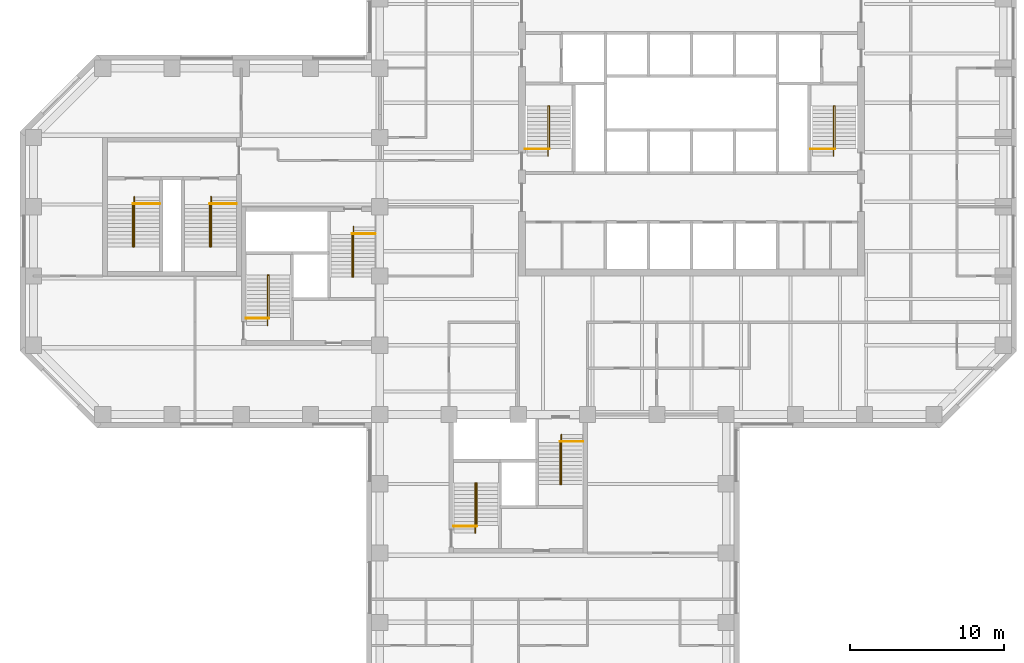
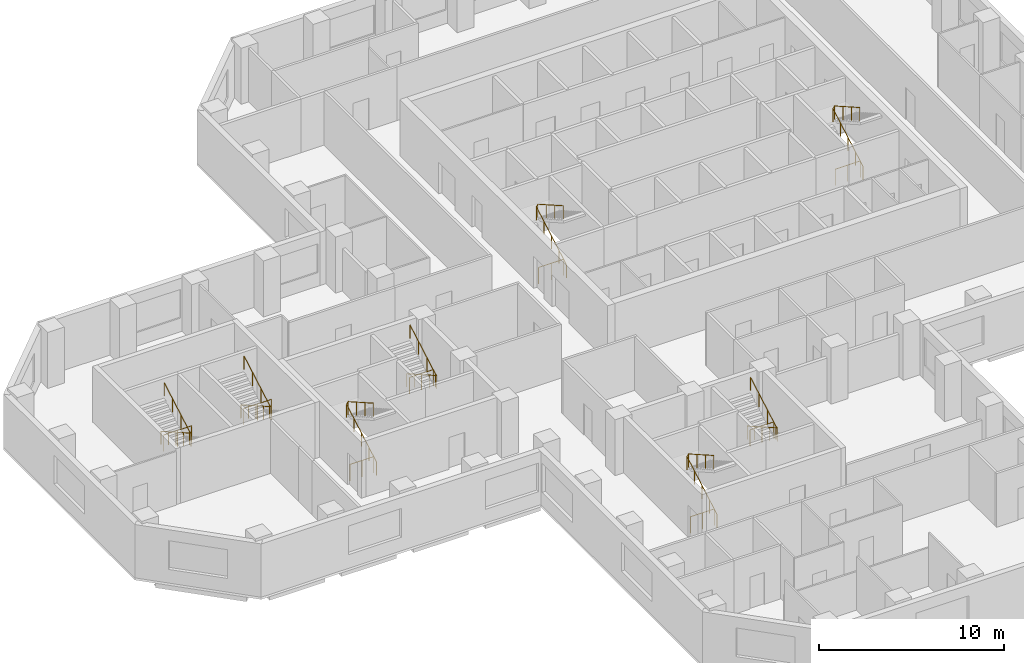
# One storey, part 10 of 10: 16 railings.
"""IFC4 building model written with IfcOpenShell, lengths in metres."""

from ifc_helpers import new_model, si_unit, direction, frame, origin, origin_2d, place, context, subcontext, project, spatial, circle, extrude, material, type_object, element, save


model = new_model("IFC4")

# Units and contexts
model_context = context("Model", 3, precision=1e-05, world=origin(), true_north=direction((0.0, 1.0)))
body_context = subcontext(model_context, "Body", "Model", "MODEL_VIEW")
ifc_project = project(units=[si_unit("LENGTHUNIT", "METRE"), si_unit("AREAUNIT", "SQUARE_METRE"), si_unit("VOLUMEUNIT", "CUBIC_METRE"), si_unit("PLANEANGLEUNIT", "RADIAN"), si_unit("MASSUNIT", "GRAM", prefix="KILO")], contexts=[model_context])

# Site, building, storey
site_placement = place(None, origin())
site = spatial("IfcSite", under=ifc_project, at=site_placement, CompositionType="ELEMENT")
building_placement = place(site_placement, origin())
building = spatial("IfcBuilding", under=site, at=building_placement, Name="Quoin Convention Tower", CompositionType="ELEMENT")
storey_placement = place(building_placement, frame((0.0, 0.0, 90.0)))
storey = spatial("IfcBuildingStorey", under=building, at=storey_placement, Name="L23", CompositionType="ELEMENT", Elevation=90.0)

# Railings
ifc_material = material(Name="Stainless steel", Category="steel")
railing_type_1 = type_object("IfcRailingType", Name="Stair handrail 900", PredefinedType="HANDRAIL", material=ifc_material)
railing_1_placement = place(storey_placement, frame((46.929931640625, 57.300048828125, 0.142333984375)))
element("IfcRailing", 1, at=railing_1_placement, inside=storey, type_object=railing_type_1, Name="SD1 handrail 1", PredefinedType="HANDRAIL", context=body_context, shape_type="SweptSolid", body=[
    extrude(circle(Radius=0.02392578125, at=origin_2d()), frame((0.0, 0.0, 0.8759765625), z_axis=(0.0, 0.869081571614, 0.494668800189), x_axis=(-1.0, 0.0, 0.0)), (0.0, 0.0, 1.0), 3.739501953125),
    extrude(circle(Radius=0.02392578125, at=origin_2d()), frame((0.0, 3.25, 2.7255859375), z_axis=(0.53481069233, 0.0, 0.844971906852), x_axis=(0.0, 1.0, 0.0)), (0.0, 0.0, 1.0), 0.16845703125),
    extrude(circle(Radius=0.02392578125, at=origin_2d()), frame((0.090087890625, 3.25, 2.8681640625), z_axis=(0.0, -0.869058607571, 0.494709143443), x_axis=(1.0, 0.0, 0.0)), (0.0, 0.0, 1.0), 3.164306640625),
    extrude(circle(Radius=0.02099609375, at=origin_2d()), origin(), (0.0, 0.0, 1.0), 0.851806640625),
    extrude(circle(Radius=0.02099609375, at=origin_2d()), frame((0.0, 0.8125, 0.46240234375)), (0.0, 0.0, 1.0), 0.851806640625),
    extrude(circle(Radius=0.02099609375, at=origin_2d()), frame((0.0, 1.625, 0.9248046875)), (0.0, 0.0, 1.0), 0.851806640625),
    extrude(circle(Radius=0.02099609375, at=origin_2d()), frame((0.0, 2.4375, 1.387451171875)), (0.0, 0.0, 1.0), 0.851806640625),
    extrude(circle(Radius=0.02099609375, at=origin_2d()), frame((0.0, 3.25, 1.849853515625)), (0.0, 0.0, 1.0), 0.851806640625),
    extrude(circle(Radius=0.02099609375, at=origin_2d()), frame((0.090087890625, 3.25, 1.9921875)), (0.0, 0.0, 1.0), 0.851806640625),
    extrude(circle(Radius=0.02099609375, at=origin_2d()), frame((0.090087890625, 2.333251953125, 2.513916015625)), (0.0, 0.0, 1.0), 0.851806640625),
    extrude(circle(Radius=0.02099609375, at=origin_2d()), frame((0.090087890625, 1.416748046875, 3.035888671875)), (0.0, 0.0, 1.0), 0.851806640625),
    extrude(circle(Radius=0.02099609375, at=origin_2d()), frame((0.090087890625, 0.5, 3.5576171875)), (0.0, 0.0, 1.0), 0.851806640625),
])
railing_2_placement = place(storey_placement, frame((65.47998046875, 57.300048828125, 0.142333984375)))
element("IfcRailing", 2, at=railing_2_placement, inside=storey, type_object=railing_type_1, Name="SD2 handrail 1", PredefinedType="HANDRAIL", context=body_context, shape_type="SweptSolid", body=[
    extrude(circle(Radius=0.02392578125, at=origin_2d()), frame((0.0, 0.0, 0.8759765625), z_axis=(0.0, 0.869081571614, 0.494668800189), x_axis=(-1.0, 0.0, 0.0)), (0.0, 0.0, 1.0), 3.739501953125),
    extrude(circle(Radius=0.02392578125, at=origin_2d()), frame((0.0, 3.25, 2.7255859375), z_axis=(0.53481069233, 0.0, 0.844971906852), x_axis=(0.0, 1.0, 0.0)), (0.0, 0.0, 1.0), 0.16845703125),
    extrude(circle(Radius=0.02392578125, at=origin_2d()), frame((0.090087890625, 3.25, 2.8681640625), z_axis=(0.0, -0.869058607571, 0.494709143443), x_axis=(1.0, 0.0, 0.0)), (0.0, 0.0, 1.0), 3.164306640625),
    extrude(circle(Radius=0.02099609375, at=origin_2d()), origin(), (0.0, 0.0, 1.0), 0.851806640625),
    extrude(circle(Radius=0.02099609375, at=origin_2d()), frame((0.0, 0.8125, 0.46240234375)), (0.0, 0.0, 1.0), 0.851806640625),
    extrude(circle(Radius=0.02099609375, at=origin_2d()), frame((0.0, 1.625, 0.9248046875)), (0.0, 0.0, 1.0), 0.851806640625),
    extrude(circle(Radius=0.02099609375, at=origin_2d()), frame((0.0, 2.4375, 1.387451171875)), (0.0, 0.0, 1.0), 0.851806640625),
    extrude(circle(Radius=0.02099609375, at=origin_2d()), frame((0.0, 3.25, 1.849853515625)), (0.0, 0.0, 1.0), 0.851806640625),
    extrude(circle(Radius=0.02099609375, at=origin_2d()), frame((0.090087890625, 3.25, 1.9921875)), (0.0, 0.0, 1.0), 0.851806640625),
    extrude(circle(Radius=0.02099609375, at=origin_2d()), frame((0.090087890625, 2.333251953125, 2.513916015625)), (0.0, 0.0, 1.0), 0.851806640625),
    extrude(circle(Radius=0.02099609375, at=origin_2d()), frame((0.090087890625, 1.416748046875, 3.035888671875)), (0.0, 0.0, 1.0), 0.851806640625),
    extrude(circle(Radius=0.02099609375, at=origin_2d()), frame((0.090087890625, 0.5, 3.5576171875)), (0.0, 0.0, 1.0), 0.851806640625),
])
railing_3_placement = place(storey_placement, frame((28.705078125, 46.300048828125, 0.142333984375)))
element("IfcRailing", 3, at=railing_3_placement, inside=storey, type_object=railing_type_1, Name="SD3 handrail 1", PredefinedType="HANDRAIL", context=body_context, shape_type="SweptSolid", body=[
    extrude(circle(Radius=0.02392578125, at=origin_2d()), frame((0.0, 0.0, 0.8759765625), z_axis=(0.0, 0.869081571614, 0.494668800189), x_axis=(-1.0, 0.0, 0.0)), (0.0, 0.0, 1.0), 3.739501953125),
    extrude(circle(Radius=0.02392578125, at=origin_2d()), frame((0.0, 3.25, 2.7255859375), z_axis=(0.533774684331, 0.0, 0.845626741753), x_axis=(0.0, 1.0, 0.0)), (0.0, 0.0, 1.0), 0.168212890625),
    extrude(circle(Radius=0.02392578125, at=origin_2d()), frame((0.08984375, 3.25, 2.8681640625), z_axis=(0.0, -0.869058607571, 0.494709143443), x_axis=(1.0, 0.0, 0.0)), (0.0, 0.0, 1.0), 3.164306640625),
    extrude(circle(Radius=0.02099609375, at=origin_2d()), origin(), (0.0, 0.0, 1.0), 0.851806640625),
    extrude(circle(Radius=0.02099609375, at=origin_2d()), frame((0.0, 0.8125, 0.46240234375)), (0.0, 0.0, 1.0), 0.851806640625),
    extrude(circle(Radius=0.02099609375, at=origin_2d()), frame((0.0, 1.625, 0.9248046875)), (0.0, 0.0, 1.0), 0.851806640625),
    extrude(circle(Radius=0.02099609375, at=origin_2d()), frame((0.0, 2.4375, 1.387451171875)), (0.0, 0.0, 1.0), 0.851806640625),
    extrude(circle(Radius=0.02099609375, at=origin_2d()), frame((0.0, 3.25, 1.849853515625)), (0.0, 0.0, 1.0), 0.851806640625),
    extrude(circle(Radius=0.02099609375, at=origin_2d()), frame((0.08984375, 3.25, 1.9921875)), (0.0, 0.0, 1.0), 0.851806640625),
    extrude(circle(Radius=0.02099609375, at=origin_2d()), frame((0.08984375, 2.333251953125, 2.513916015625)), (0.0, 0.0, 1.0), 0.851806640625),
    extrude(circle(Radius=0.02099609375, at=origin_2d()), frame((0.08984375, 1.416748046875, 3.035888671875)), (0.0, 0.0, 1.0), 0.851806640625),
    extrude(circle(Radius=0.02099609375, at=origin_2d()), frame((0.08984375, 0.5, 3.5576171875)), (0.0, 0.0, 1.0), 0.851806640625),
])
railing_4_placement = place(storey_placement, frame((34.294921875, 52.699951171875, 0.142333984375)))
element("IfcRailing", 4, at=railing_4_placement, inside=storey, type_object=railing_type_1, Name="SD4 handrail 1", PredefinedType="HANDRAIL", context=body_context, shape_type="SweptSolid", body=[
    extrude(circle(Radius=0.02392578125, at=origin_2d()), frame((0.0, 0.0, 0.8759765625), z_axis=(0.0, -0.869081571614, 0.494668800189), x_axis=(1.0, 0.0, 0.0)), (0.0, 0.0, 1.0), 3.739501953125),
    extrude(circle(Radius=0.02392578125, at=origin_2d()), frame((0.0, -3.25, 2.7255859375), z_axis=(-0.533774684331, 0.0, 0.845626741753), x_axis=(0.0, -1.0, 0.0)), (0.0, 0.0, 1.0), 0.168212890625),
    extrude(circle(Radius=0.02392578125, at=origin_2d()), frame((-0.08984375, -3.25, 2.8681640625), z_axis=(0.0, 0.869058607571, 0.494709143443), x_axis=(-1.0, 0.0, 0.0)), (0.0, 0.0, 1.0), 3.164306640625),
    extrude(circle(Radius=0.02099609375, at=origin_2d()), origin(), (0.0, 0.0, 1.0), 0.851806640625),
    extrude(circle(Radius=0.02099609375, at=origin_2d()), frame((0.0, -0.8125, 0.46240234375)), (0.0, 0.0, 1.0), 0.851806640625),
    extrude(circle(Radius=0.02099609375, at=origin_2d()), frame((0.0, -1.625, 0.9248046875)), (0.0, 0.0, 1.0), 0.851806640625),
    extrude(circle(Radius=0.02099609375, at=origin_2d()), frame((0.0, -2.4375, 1.387451171875)), (0.0, 0.0, 1.0), 0.851806640625),
    extrude(circle(Radius=0.02099609375, at=origin_2d()), frame((0.0, -3.25, 1.849853515625)), (0.0, 0.0, 1.0), 0.851806640625),
    extrude(circle(Radius=0.02099609375, at=origin_2d()), frame((-0.08984375, -3.25, 1.9921875)), (0.0, 0.0, 1.0), 0.851806640625),
    extrude(circle(Radius=0.02099609375, at=origin_2d()), frame((-0.08984375, -2.333251953125, 2.513916015625)), (0.0, 0.0, 1.0), 0.851806640625),
    extrude(circle(Radius=0.02099609375, at=origin_2d()), frame((-0.08984375, -1.416748046875, 3.035888671875)), (0.0, 0.0, 1.0), 0.851806640625),
    extrude(circle(Radius=0.02099609375, at=origin_2d()), frame((-0.08984375, -0.5, 3.5576171875)), (0.0, 0.0, 1.0), 0.851806640625),
])
railing_5_placement = place(storey_placement, frame((42.205078125, 32.800048828125, 0.142333984375)))
element("IfcRailing", 5, at=railing_5_placement, inside=storey, type_object=railing_type_1, Name="SD5 handrail 1", PredefinedType="HANDRAIL", context=body_context, shape_type="SweptSolid", body=[
    extrude(circle(Radius=0.02392578125, at=origin_2d()), frame((0.0, 0.0, 0.8759765625), z_axis=(0.0, 0.869081571614, 0.494668800189), x_axis=(-1.0, 0.0, 0.0)), (0.0, 0.0, 1.0), 3.739501953125),
    extrude(circle(Radius=0.02392578125, at=origin_2d()), frame((0.0, 3.25, 2.7255859375), z_axis=(0.533774684331, 0.0, 0.845626741753), x_axis=(0.0, 1.0, 0.0)), (0.0, 0.0, 1.0), 0.168212890625),
    extrude(circle(Radius=0.02392578125, at=origin_2d()), frame((0.08984375, 3.25, 2.8681640625), z_axis=(0.0, -0.869058607571, 0.494709143443), x_axis=(1.0, 0.0, 0.0)), (0.0, 0.0, 1.0), 3.164306640625),
    extrude(circle(Radius=0.02099609375, at=origin_2d()), origin(), (0.0, 0.0, 1.0), 0.851806640625),
    extrude(circle(Radius=0.02099609375, at=origin_2d()), frame((0.0, 0.8125, 0.46240234375)), (0.0, 0.0, 1.0), 0.851806640625),
    extrude(circle(Radius=0.02099609375, at=origin_2d()), frame((0.0, 1.625, 0.9248046875)), (0.0, 0.0, 1.0), 0.851806640625),
    extrude(circle(Radius=0.02099609375, at=origin_2d()), frame((0.0, 2.4375, 1.387451171875)), (0.0, 0.0, 1.0), 0.851806640625),
    extrude(circle(Radius=0.02099609375, at=origin_2d()), frame((0.0, 3.25, 1.849853515625)), (0.0, 0.0, 1.0), 0.851806640625),
    extrude(circle(Radius=0.02099609375, at=origin_2d()), frame((0.08984375, 3.25, 1.9921875)), (0.0, 0.0, 1.0), 0.851806640625),
    extrude(circle(Radius=0.02099609375, at=origin_2d()), frame((0.08984375, 2.333251953125, 2.513916015625)), (0.0, 0.0, 1.0), 0.851806640625),
    extrude(circle(Radius=0.02099609375, at=origin_2d()), frame((0.08984375, 1.416748046875, 3.035888671875)), (0.0, 0.0, 1.0), 0.851806640625),
    extrude(circle(Radius=0.02099609375, at=origin_2d()), frame((0.08984375, 0.5, 3.5576171875)), (0.0, 0.0, 1.0), 0.851806640625),
])
railing_6_placement = place(storey_placement, frame((47.794921875, 39.199951171875, 0.142333984375)))
element("IfcRailing", 6, at=railing_6_placement, inside=storey, type_object=railing_type_1, Name="SD6 handrail 1", PredefinedType="HANDRAIL", context=body_context, shape_type="SweptSolid", body=[
    extrude(circle(Radius=0.02392578125, at=origin_2d()), frame((0.0, 0.0, 0.8759765625), z_axis=(0.0, -0.869081571614, 0.494668800189), x_axis=(1.0, 0.0, 0.0)), (0.0, 0.0, 1.0), 3.739501953125),
    extrude(circle(Radius=0.02392578125, at=origin_2d()), frame((0.0, -3.25, 2.7255859375), z_axis=(-0.533774684331, 0.0, 0.845626741753), x_axis=(0.0, -1.0, 0.0)), (0.0, 0.0, 1.0), 0.168212890625),
    extrude(circle(Radius=0.02392578125, at=origin_2d()), frame((-0.08984375, -3.25, 2.8681640625), z_axis=(0.0, 0.869058607571, 0.494709143443), x_axis=(-1.0, 0.0, 0.0)), (0.0, 0.0, 1.0), 3.164306640625),
    extrude(circle(Radius=0.02099609375, at=origin_2d()), origin(), (0.0, 0.0, 1.0), 0.851806640625),
    extrude(circle(Radius=0.02099609375, at=origin_2d()), frame((0.0, -0.8125, 0.46240234375)), (0.0, 0.0, 1.0), 0.851806640625),
    extrude(circle(Radius=0.02099609375, at=origin_2d()), frame((0.0, -1.625, 0.9248046875)), (0.0, 0.0, 1.0), 0.851806640625),
    extrude(circle(Radius=0.02099609375, at=origin_2d()), frame((0.0, -2.4375, 1.387451171875)), (0.0, 0.0, 1.0), 0.851806640625),
    extrude(circle(Radius=0.02099609375, at=origin_2d()), frame((0.0, -3.25, 1.849853515625)), (0.0, 0.0, 1.0), 0.851806640625),
    extrude(circle(Radius=0.02099609375, at=origin_2d()), frame((-0.08984375, -3.25, 1.9921875)), (0.0, 0.0, 1.0), 0.851806640625),
    extrude(circle(Radius=0.02099609375, at=origin_2d()), frame((-0.08984375, -2.333251953125, 2.513916015625)), (0.0, 0.0, 1.0), 0.851806640625),
    extrude(circle(Radius=0.02099609375, at=origin_2d()), frame((-0.08984375, -1.416748046875, 3.035888671875)), (0.0, 0.0, 1.0), 0.851806640625),
    extrude(circle(Radius=0.02099609375, at=origin_2d()), frame((-0.08984375, -0.5, 3.5576171875)), (0.0, 0.0, 1.0), 0.851806640625),
])
railing_7_placement = place(storey_placement, frame((20.044921875, 54.64990234375, 0.142333984375)))
element("IfcRailing", 7, at=railing_7_placement, inside=storey, type_object=railing_type_1, Name="SD11 handrail 1", PredefinedType="HANDRAIL", context=body_context, shape_type="SweptSolid", body=[
    extrude(circle(Radius=0.02392578125, at=origin_2d()), frame((0.0, 0.0, 0.8759765625), z_axis=(0.0, -0.869081571614, 0.494668800189), x_axis=(1.0, 0.0, 0.0)), (0.0, 0.0, 1.0), 3.739501953125),
    extrude(circle(Radius=0.02392578125, at=origin_2d()), frame((0.0, -3.25, 2.7255859375), z_axis=(-0.533774684331, 0.0, 0.845626741753), x_axis=(0.0, -1.0, 0.0)), (0.0, 0.0, 1.0), 0.168212890625),
    extrude(circle(Radius=0.02392578125, at=origin_2d()), frame((-0.08984375, -3.25, 2.8681640625), z_axis=(0.0, 0.869058607571, 0.494709143443), x_axis=(-1.0, 0.0, 0.0)), (0.0, 0.0, 1.0), 3.164306640625),
    extrude(circle(Radius=0.02099609375, at=origin_2d()), origin(), (0.0, 0.0, 1.0), 0.851806640625),
    extrude(circle(Radius=0.02099609375, at=origin_2d()), frame((0.0, -0.8125, 0.46240234375)), (0.0, 0.0, 1.0), 0.851806640625),
    extrude(circle(Radius=0.02099609375, at=origin_2d()), frame((0.0, -1.625, 0.9248046875)), (0.0, 0.0, 1.0), 0.851806640625),
    extrude(circle(Radius=0.02099609375, at=origin_2d()), frame((0.0, -2.4375, 1.387451171875)), (0.0, 0.0, 1.0), 0.851806640625),
    extrude(circle(Radius=0.02099609375, at=origin_2d()), frame((0.0, -3.25, 1.849853515625)), (0.0, 0.0, 1.0), 0.851806640625),
    extrude(circle(Radius=0.02099609375, at=origin_2d()), frame((-0.08984375, -3.25, 1.9921875)), (0.0, 0.0, 1.0), 0.851806640625),
    extrude(circle(Radius=0.02099609375, at=origin_2d()), frame((-0.08984375, -2.333251953125, 2.513916015625)), (0.0, 0.0, 1.0), 0.851806640625),
    extrude(circle(Radius=0.02099609375, at=origin_2d()), frame((-0.08984375, -1.416748046875, 3.035888671875)), (0.0, 0.0, 1.0), 0.851806640625),
    extrude(circle(Radius=0.02099609375, at=origin_2d()), frame((-0.08984375, -0.5, 3.5576171875)), (0.0, 0.0, 1.0), 0.851806640625),
])
railing_8_placement = place(storey_placement, frame((25.044921875, 54.64990234375, 0.142333984375)))
element("IfcRailing", 8, at=railing_8_placement, inside=storey, type_object=railing_type_1, Name="SD12 handrail 1", PredefinedType="HANDRAIL", context=body_context, shape_type="SweptSolid", body=[
    extrude(circle(Radius=0.02392578125, at=origin_2d()), frame((0.0, 0.0, 0.8759765625), z_axis=(0.0, -0.869081571614, 0.494668800189), x_axis=(1.0, 0.0, 0.0)), (0.0, 0.0, 1.0), 3.739501953125),
    extrude(circle(Radius=0.02392578125, at=origin_2d()), frame((0.0, -3.25, 2.7255859375), z_axis=(-0.533774684331, 0.0, 0.845626741753), x_axis=(0.0, -1.0, 0.0)), (0.0, 0.0, 1.0), 0.168212890625),
    extrude(circle(Radius=0.02392578125, at=origin_2d()), frame((-0.08984375, -3.25, 2.8681640625), z_axis=(0.0, 0.869058607571, 0.494709143443), x_axis=(-1.0, 0.0, 0.0)), (0.0, 0.0, 1.0), 3.164306640625),
    extrude(circle(Radius=0.02099609375, at=origin_2d()), origin(), (0.0, 0.0, 1.0), 0.851806640625),
    extrude(circle(Radius=0.02099609375, at=origin_2d()), frame((0.0, -0.8125, 0.46240234375)), (0.0, 0.0, 1.0), 0.851806640625),
    extrude(circle(Radius=0.02099609375, at=origin_2d()), frame((0.0, -1.625, 0.9248046875)), (0.0, 0.0, 1.0), 0.851806640625),
    extrude(circle(Radius=0.02099609375, at=origin_2d()), frame((0.0, -2.4375, 1.387451171875)), (0.0, 0.0, 1.0), 0.851806640625),
    extrude(circle(Radius=0.02099609375, at=origin_2d()), frame((0.0, -3.25, 1.849853515625)), (0.0, 0.0, 1.0), 0.851806640625),
    extrude(circle(Radius=0.02099609375, at=origin_2d()), frame((-0.08984375, -3.25, 1.9921875)), (0.0, 0.0, 1.0), 0.851806640625),
    extrude(circle(Radius=0.02099609375, at=origin_2d()), frame((-0.08984375, -2.333251953125, 2.513916015625)), (0.0, 0.0, 1.0), 0.851806640625),
    extrude(circle(Radius=0.02099609375, at=origin_2d()), frame((-0.08984375, -1.416748046875, 3.035888671875)), (0.0, 0.0, 1.0), 0.851806640625),
    extrude(circle(Radius=0.02099609375, at=origin_2d()), frame((-0.08984375, -0.5, 3.5576171875)), (0.0, 0.0, 1.0), 0.851806640625),
])
railing_type_2 = type_object("IfcRailingType", Name="Stair top guard 1100", PredefinedType="GUARDRAIL", material=ifc_material)
for number, where, name in (
    (9, (45.449951171875, 57.75, 0.0), "SD1 top guard"),
    (10, (64.0, 57.75, 0.0), "SD2 top guard"),
):
    element("IfcRailing", number, at=place(storey_placement, frame(where)), inside=storey, type_object=railing_type_2, Name=name, PredefinedType="GUARDRAIL", context=body_context, shape_type="SweptSolid", body=[
        extrude(circle(Radius=0.02392578125, at=origin_2d()), frame((0.0, 0.0, 1.076171875), z_axis=(1.0, 0.0, 0.0), x_axis=(0.0, 1.0, 0.0)), (0.0, 0.0, 1.0), 1.570068359375),
        extrude(circle(Radius=0.02099609375, at=origin_2d()), origin(), (0.0, 0.0, 1.0), 1.052001953125),
        extrude(circle(Radius=0.02099609375, at=origin_2d()), frame((0.78515625, 0.0, 0.0)), (0.0, 0.0, 1.0), 1.052001953125),
        extrude(circle(Radius=0.02099609375, at=origin_2d()), frame((1.570068359375, 0.0, 0.0)), (0.0, 0.0, 1.0), 1.052001953125),
    ])
railing_9_placement = place(storey_placement, frame((27.300048828125, 46.75, 0.0)))
element("IfcRailing", 11, at=railing_9_placement, inside=storey, type_object=railing_type_2, Name="SD3 top guard", PredefinedType="GUARDRAIL", context=body_context, shape_type="SweptSolid", body=[
    extrude(circle(Radius=0.02392578125, at=origin_2d()), frame((0.0, 0.0, 1.076171875), z_axis=(1.0, 0.0, 0.0), x_axis=(0.0, 1.0, 0.0)), (0.0, 0.0, 1.0), 1.494873046875),
    extrude(circle(Radius=0.02099609375, at=origin_2d()), origin(), (0.0, 0.0, 1.0), 1.052001953125),
    extrude(circle(Radius=0.02099609375, at=origin_2d()), frame((0.74755859375, 0.0, 0.0)), (0.0, 0.0, 1.0), 1.052001953125),
    extrude(circle(Radius=0.02099609375, at=origin_2d()), frame((1.494873046875, 0.0, 0.0)), (0.0, 0.0, 1.0), 1.052001953125),
])
railing_10_placement = place(storey_placement, frame((35.699951171875, 52.25, 0.0)))
element("IfcRailing", 12, at=railing_10_placement, inside=storey, type_object=railing_type_2, Name="SD4 top guard", PredefinedType="GUARDRAIL", context=body_context, shape_type="SweptSolid", body=[
    extrude(circle(Radius=0.02392578125, at=origin_2d()), frame((0.0, 0.0, 1.076171875), z_axis=(-1.0, 0.0, 0.0), x_axis=(0.0, -1.0, 0.0)), (0.0, 0.0, 1.0), 1.494873046875),
    extrude(circle(Radius=0.02099609375, at=origin_2d()), origin(), (0.0, 0.0, 1.0), 1.052001953125),
    extrude(circle(Radius=0.02099609375, at=origin_2d()), frame((-0.74755859375, 0.0, 0.0)), (0.0, 0.0, 1.0), 1.052001953125),
    extrude(circle(Radius=0.02099609375, at=origin_2d()), frame((-1.494873046875, 0.0, 0.0)), (0.0, 0.0, 1.0), 1.052001953125),
])
railing_11_placement = place(storey_placement, frame((40.800048828125, 33.25, 0.0)))
element("IfcRailing", 13, at=railing_11_placement, inside=storey, type_object=railing_type_2, Name="SD5 top guard", PredefinedType="GUARDRAIL", context=body_context, shape_type="SweptSolid", body=[
    extrude(circle(Radius=0.02392578125, at=origin_2d()), frame((0.0, 0.0, 1.076171875), z_axis=(1.0, 0.0, 0.0), x_axis=(0.0, 1.0, 0.0)), (0.0, 0.0, 1.0), 1.494873046875),
    extrude(circle(Radius=0.02099609375, at=origin_2d()), origin(), (0.0, 0.0, 1.0), 1.052001953125),
    extrude(circle(Radius=0.02099609375, at=origin_2d()), frame((0.74755859375, 0.0, 0.0)), (0.0, 0.0, 1.0), 1.052001953125),
    extrude(circle(Radius=0.02099609375, at=origin_2d()), frame((1.494873046875, 0.0, 0.0)), (0.0, 0.0, 1.0), 1.052001953125),
])
railing_12_placement = place(storey_placement, frame((49.199951171875, 38.75, 0.0)))
element("IfcRailing", 14, at=railing_12_placement, inside=storey, type_object=railing_type_2, Name="SD6 top guard", PredefinedType="GUARDRAIL", context=body_context, shape_type="SweptSolid", body=[
    extrude(circle(Radius=0.02392578125, at=origin_2d()), frame((0.0, 0.0, 1.076171875), z_axis=(-1.0, 0.0, 0.0), x_axis=(0.0, -1.0, 0.0)), (0.0, 0.0, 1.0), 1.494873046875),
    extrude(circle(Radius=0.02099609375, at=origin_2d()), origin(), (0.0, 0.0, 1.0), 1.052001953125),
    extrude(circle(Radius=0.02099609375, at=origin_2d()), frame((-0.74755859375, 0.0, 0.0)), (0.0, 0.0, 1.0), 1.052001953125),
    extrude(circle(Radius=0.02099609375, at=origin_2d()), frame((-1.494873046875, 0.0, 0.0)), (0.0, 0.0, 1.0), 1.052001953125),
])
for number, where, name in (
    (15, (21.699951171875, 54.199951171875, 0.0), "SD11 top guard"),
    (16, (26.699951171875, 54.199951171875, 0.0), "SD12 top guard"),
):
    element("IfcRailing", number, at=place(storey_placement, frame(where)), inside=storey, type_object=railing_type_2, Name=name, PredefinedType="GUARDRAIL", context=body_context, shape_type="SweptSolid", body=[
        extrude(circle(Radius=0.02392578125, at=origin_2d()), frame((0.0, 0.0, 1.076171875), z_axis=(-1.0, 0.0, 0.0), x_axis=(0.0, -1.0, 0.0)), (0.0, 0.0, 1.0), 1.744873046875),
        extrude(circle(Radius=0.02099609375, at=origin_2d()), origin(), (0.0, 0.0, 1.0), 1.052001953125),
        extrude(circle(Radius=0.02099609375, at=origin_2d()), frame((-0.87255859375, 0.0, 0.0)), (0.0, 0.0, 1.0), 1.052001953125),
        extrude(circle(Radius=0.02099609375, at=origin_2d()), frame((-1.744873046875, 0.0, 0.0)), (0.0, 0.0, 1.0), 1.052001953125),
    ])

save(model, "model.ifc")
